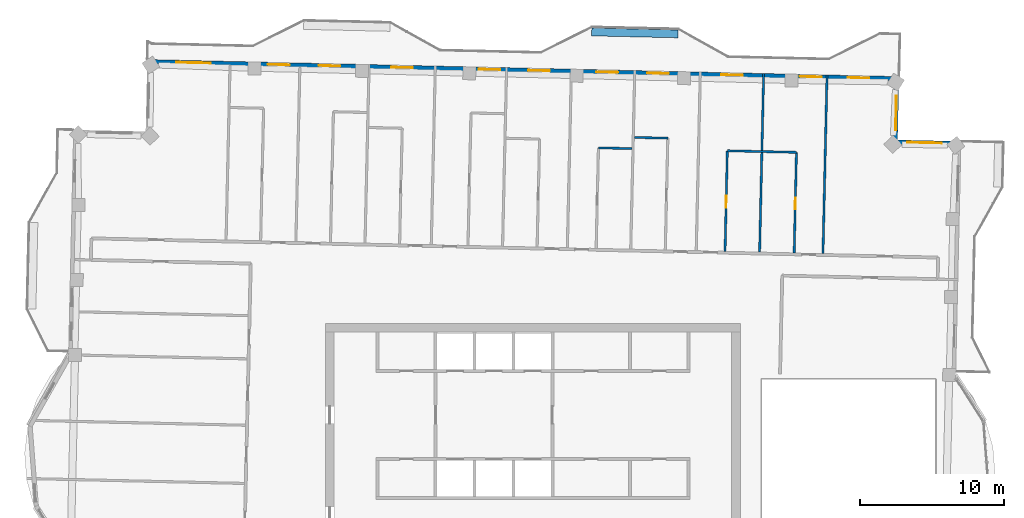
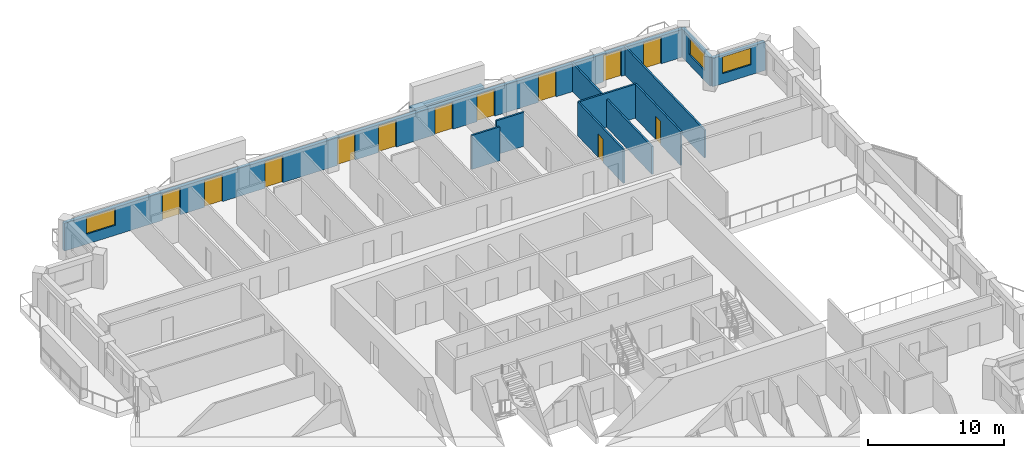
# One storey, part 10 of 15: 12 doors, 11 walls, 3 windows, 15 openings.
"""IFC4 building model written with IfcOpenShell, lengths in metres."""

from ifc_helpers import new_model, si_unit, direction, frame, frame_2d, origin, place, context, subcontext, project, spatial, rectangle, extrude, material, layer, layer_set, type_object, element, fill, save


model = new_model("IFC4")

# Units and contexts
model_context = context("Model", 3, precision=1e-05, world=origin(), true_north=direction((0.0, 1.0)))
body_context = subcontext(model_context, "Body", "Model", "MODEL_VIEW")
ifc_project = project(units=[si_unit("LENGTHUNIT", "METRE"), si_unit("AREAUNIT", "SQUARE_METRE"), si_unit("VOLUMEUNIT", "CUBIC_METRE"), si_unit("PLANEANGLEUNIT", "RADIAN"), si_unit("MASSUNIT", "GRAM", prefix="KILO")], contexts=[model_context])

# Site, building, storey
site_placement = place(None, origin())
site = spatial("IfcSite", under=ifc_project, at=site_placement, CompositionType="ELEMENT")
building_placement = place(site_placement, origin())
building = spatial("IfcBuilding", under=site, at=building_placement, Name="Mangrove Gate Tower", CompositionType="ELEMENT")
storey_placement = place(building_placement, frame((0.0, 0.0, 313.300048828125)))
storey = spatial("IfcBuildingStorey", under=building, at=storey_placement, Name="L80", CompositionType="ELEMENT", Elevation=313.300048828125)

# Wall, opening, window
ifc_material_1 = material(Name="Limestone", Category="masonry")
ifc_layer_1 = layer(ifc_material_1, 0.0400390625, Name="Limestone cladding")
ifc_material_2 = material(Name="Ventilated air gap")
ifc_layer_2 = layer(ifc_material_2, 0.0400390625, Name="Ventilated cavity")
ifc_material_3 = material(Name="Mineral wool insulation")
ifc_layer_3 = layer(ifc_material_3, 0.06005859375, Name="Insulation")
ifc_material_4 = material(Name="Breather membrane")
ifc_layer_4 = layer(ifc_material_4, 0.001953125, Name="Breather membrane")
ifc_material_5 = material(Name="Concrete C20/25 blockwork", Category="masonry")
ifc_layer_5 = layer(ifc_material_5, 0.14990234375, Name="Blockwork backing wall")
ifc_material_6 = material(Name="Gypsum plaster")
ifc_layer_6 = layer(ifc_material_6, 0.008056640625, Name="Internal plaster")
ifc_layer_set_1 = layer_set([ifc_layer_1, ifc_layer_2, ifc_layer_3, ifc_layer_4, ifc_layer_5, ifc_layer_6], Name="External wall 300 limestone cladding")
wall_type_1 = type_object("IfcWallType", Name="External wall 300 limestone cladding", PredefinedType="SOLIDWALL", material=ifc_layer_set_1)
wall_1_placement = place(storey_placement, frame((29.56298828125, 23.89892578125, 0.0), z_axis=(0.0, 0.0, 1.0), x_axis=(-0.999741204967, 0.022749133868, 0.0)))
wall_1 = element("IfcWall", 1, at=wall_1_placement, inside=storey, type_object=wall_type_1, Name="WALL-L80-N3", PredefinedType="SOLIDWALL", context=body_context, shape_type="SweptSolid", body=[
    extrude(rectangle(XDim=4.400146484375, YDim=0.300048828125, at=frame_2d((2.2001953125, 0.0))), origin(), (0.0, 0.0, 1.0), 2.550048828125),
])
opening_1_placement = place(wall_1_placement, frame((1.181884765625, 0.0, 0.89990234375)))
opening_1 = element("IfcOpeningElement", 2, at=opening_1_placement, cuts=wall_1, Name="Opening W2", PredefinedType="OPENING", context=body_context, shape_type="SweptSolid", body=[
    extrude(rectangle(XDim=2.39990234375, YDim=1.5, at=frame_2d((1.199951171875, 0.75))), frame((0.0, 0.159912109375, 0.0), z_axis=(0.0, -1.0, 0.0), x_axis=(1.0, 0.0, 0.0)), (0.0, 0.0, 1.0), 0.320068359375),
])
ifc_material_7 = material(Name="Aluminium frame with double-glazed low-e glass", Category="aluminium")
window_type = type_object("IfcWindowType", Name="Corner room window 2400x1500", PartitioningType="DOUBLE_PANEL_VERTICAL", PredefinedType="WINDOW", material=ifc_material_7)
window_1_placement = place(opening_1_placement, origin())
window_1 = element("IfcWindow", 3, at=window_1_placement, inside=storey, type_object=window_type, Name="WIN-L80-N3-1", OverallHeight=1.5, OverallWidth=2.39990234375, PartitioningType="DOUBLE_PANEL_VERTICAL", PredefinedType="WINDOW", context=body_context, shape_type="SweptSolid", body=[
    extrude(rectangle(XDim=2.39990234375, YDim=1.5, at=frame_2d((1.199951171875, 0.75))), frame((0.0, 0.030029296875, 0.0), z_axis=(0.0, -1.0, 0.0), x_axis=(1.0, 0.0, 0.0)), (0.0, 0.0, 1.0), 0.06005859375),
])
fill(opening_1, window_1)

wall_2_placement = place(storey_placement, frame((25.1640625, 23.9990234375, 0.0), z_axis=(0.0, 0.0, 1.0), x_axis=(0.02269871331, 0.999742351016, 0.0)))
wall_2 = element("IfcWall", 4, at=wall_2_placement, inside=storey, type_object=wall_type_1, Name="WALL-L80-E4", PredefinedType="SOLIDWALL", context=body_context, shape_type="SweptSolid", body=[
    extrude(rectangle(XDim=4.399169921875, YDim=0.300048828125, at=frame_2d((2.19970703125, 0.0))), origin(), (0.0, 0.0, 1.0), 2.550048828125),
])
opening_2_placement = place(wall_2_placement, frame((0.806884765625, 0.0, 0.89990234375)))
opening_2 = element("IfcOpeningElement", 5, at=opening_2_placement, cuts=wall_2, Name="Opening W2", PredefinedType="OPENING", context=body_context, shape_type="SweptSolid", body=[
    extrude(rectangle(XDim=2.39990234375, YDim=1.5, at=frame_2d((1.199951171875, 0.75))), frame((0.0, 0.159912109375, 0.0), z_axis=(0.0, -1.0, 0.0), x_axis=(1.0, 0.0, 0.0)), (0.0, 0.0, 1.0), 0.320068359375),
])
window_2_placement = place(opening_2_placement, origin())
window_2 = element("IfcWindow", 6, at=window_2_placement, inside=storey, type_object=window_type, Name="WIN-L80-E4-1", OverallHeight=1.5, OverallWidth=2.39990234375, PartitioningType="DOUBLE_PANEL_VERTICAL", PredefinedType="WINDOW", context=body_context, shape_type="SweptSolid", body=[
    extrude(rectangle(XDim=2.39990234375, YDim=1.5, at=frame_2d((1.199951171875, 0.75))), frame((0.0, 0.030029296875, 0.0), z_axis=(0.0, -1.0, 0.0), x_axis=(1.0, 0.0, 0.0)), (0.0, 0.0, 1.0), 0.06005859375),
])
fill(opening_2, window_2)

# Wall, openings, doors, window
wall_3_placement = place(storey_placement, frame((25.263916015625, 28.39697265625, 0.0), z_axis=(0.0, 0.0, 1.0), x_axis=(-0.999742391375, 0.022696935658, 0.0)))
wall_3 = element("IfcWall", 7, at=wall_3_placement, inside=storey, type_object=wall_type_1, Name="WALL-L80-N5", PredefinedType="SOLIDWALL", context=body_context, shape_type="SweptSolid", body=[
    extrude(rectangle(XDim=51.900390625, YDim=0.300048828125, at=frame_2d((25.9501953125, 0.0))), origin(), (0.0, 0.0, 1.0), 2.5),
])
opening_3_placement = place(wall_3_placement, frame((1.89794921875, 0.0, 0.0)))
opening_3 = element("IfcOpeningElement", 8, at=opening_3_placement, cuts=wall_3, Name="Opening BD1", PredefinedType="OPENING", context=body_context, shape_type="SweptSolid", body=[
    extrude(rectangle(XDim=1.5, YDim=2.39990234375, at=frame_2d((0.75, 1.199951171875))), frame((0.0, 0.159912109375, 0.0), z_axis=(0.0, -1.0, 0.0), x_axis=(1.0, 0.0, 0.0)), (0.0, 0.0, 1.0), 0.320068359375),
])
opening_4_placement = place(wall_3_placement, frame((5.22900390625, 0.0, 0.0)))
opening_4 = element("IfcOpeningElement", 9, at=opening_4_placement, cuts=wall_3, Name="Opening BD1", PredefinedType="OPENING", context=body_context, shape_type="SweptSolid", body=[
    extrude(rectangle(XDim=1.5, YDim=2.39990234375, at=frame_2d((0.75, 1.199951171875))), frame((0.0, 0.159912109375, 0.0), z_axis=(0.0, -1.0, 0.0), x_axis=(1.0, 0.0, 0.0)), (0.0, 0.0, 1.0), 0.320068359375),
])
opening_5_placement = place(wall_3_placement, frame((10.699951171875, 0.0, 0.0)))
opening_5 = element("IfcOpeningElement", 10, at=opening_5_placement, cuts=wall_3, Name="Opening BD1", PredefinedType="OPENING", context=body_context, shape_type="SweptSolid", body=[
    extrude(rectangle(XDim=1.5, YDim=2.39990234375, at=frame_2d((0.75, 1.199951171875))), frame((0.0, 0.159912109375, 0.0), z_axis=(0.0, -1.0, 0.0), x_axis=(1.0, 0.0, 0.0)), (0.0, 0.0, 1.0), 0.320068359375),
])
opening_6_placement = place(wall_3_placement, frame((15.83203125, 0.0, 0.0)))
opening_6 = element("IfcOpeningElement", 11, at=opening_6_placement, cuts=wall_3, Name="Opening BD1", PredefinedType="OPENING", context=body_context, shape_type="SweptSolid", body=[
    extrude(rectangle(XDim=1.5, YDim=2.39990234375, at=frame_2d((0.75, 1.199951171875))), frame((0.0, 0.159912109375, 0.0), z_axis=(0.0, -1.0, 0.0), x_axis=(1.0, 0.0, 0.0)), (0.0, 0.0, 1.0), 0.320068359375),
])
opening_7_placement = place(wall_3_placement, frame((19.361083984375, 0.0, 0.0)))
opening_7 = element("IfcOpeningElement", 12, at=opening_7_placement, cuts=wall_3, Name="Opening BD1", PredefinedType="OPENING", context=body_context, shape_type="SweptSolid", body=[
    extrude(rectangle(XDim=1.5, YDim=2.39990234375, at=frame_2d((0.75, 1.199951171875))), frame((0.0, 0.159912109375, 0.0), z_axis=(0.0, -1.0, 0.0), x_axis=(1.0, 0.0, 0.0)), (0.0, 0.0, 1.0), 0.320068359375),
])
opening_8_placement = place(wall_3_placement, frame((24.10009765625, 0.0, 0.0)))
opening_8 = element("IfcOpeningElement", 13, at=opening_8_placement, cuts=wall_3, Name="Opening BD1", PredefinedType="OPENING", context=body_context, shape_type="SweptSolid", body=[
    extrude(rectangle(XDim=1.5, YDim=2.39990234375, at=frame_2d((0.75, 1.199951171875))), frame((0.0, 0.159912109375, 0.0), z_axis=(0.0, -1.0, 0.0), x_axis=(1.0, 0.0, 0.0)), (0.0, 0.0, 1.0), 0.320068359375),
])
opening_9_placement = place(wall_3_placement, frame((27.5390625, 0.0, 0.0)))
opening_9 = element("IfcOpeningElement", 14, at=opening_9_placement, cuts=wall_3, Name="Opening BD1", PredefinedType="OPENING", context=body_context, shape_type="SweptSolid", body=[
    extrude(rectangle(XDim=1.5, YDim=2.39990234375, at=frame_2d((0.75, 1.199951171875))), frame((0.0, 0.159912109375, 0.0), z_axis=(0.0, -1.0, 0.0), x_axis=(1.0, 0.0, 0.0)), (0.0, 0.0, 1.0), 0.320068359375),
])
opening_10_placement = place(wall_3_placement, frame((33.60009765625, 0.0, 0.0)))
opening_10 = element("IfcOpeningElement", 15, at=opening_10_placement, cuts=wall_3, Name="Opening BD1", PredefinedType="OPENING", context=body_context, shape_type="SweptSolid", body=[
    extrude(rectangle(XDim=1.5, YDim=2.39990234375, at=frame_2d((0.75, 1.199951171875))), frame((0.0, 0.159912109375, 0.0), z_axis=(0.0, -1.0, 0.0), x_axis=(1.0, 0.0, 0.0)), (0.0, 0.0, 1.0), 0.320068359375),
])
opening_11_placement = place(wall_3_placement, frame((38.64306640625, 0.0, 0.0)))
opening_11 = element("IfcOpeningElement", 16, at=opening_11_placement, cuts=wall_3, Name="Opening BD1", PredefinedType="OPENING", context=body_context, shape_type="SweptSolid", body=[
    extrude(rectangle(XDim=1.5, YDim=2.39990234375, at=frame_2d((0.75, 1.199951171875))), frame((0.0, 0.159912109375, 0.0), z_axis=(0.0, -1.0, 0.0), x_axis=(1.0, 0.0, 0.0)), (0.0, 0.0, 1.0), 0.320068359375),
])
opening_12_placement = place(wall_3_placement, frame((42.1708984375, 0.0, 0.0)))
opening_12 = element("IfcOpeningElement", 17, at=opening_12_placement, cuts=wall_3, Name="Opening BD1", PredefinedType="OPENING", context=body_context, shape_type="SweptSolid", body=[
    extrude(rectangle(XDim=1.5, YDim=2.39990234375, at=frame_2d((0.75, 1.199951171875))), frame((0.0, 0.159912109375, 0.0), z_axis=(0.0, -1.0, 0.0), x_axis=(1.0, 0.0, 0.0)), (0.0, 0.0, 1.0), 0.320068359375),
])
opening_13_placement = place(wall_3_placement, frame((47.636962890625, 0.0, 0.89990234375)))
opening_13 = element("IfcOpeningElement", 18, at=opening_13_placement, cuts=wall_3, Name="Opening W2", PredefinedType="OPENING", context=body_context, shape_type="SweptSolid", body=[
    extrude(rectangle(XDim=2.39990234375, YDim=1.5, at=frame_2d((1.199951171875, 0.75))), frame((0.0, 0.159912109375, 0.0), z_axis=(0.0, -1.0, 0.0), x_axis=(1.0, 0.0, 0.0)), (0.0, 0.0, 1.0), 0.320068359375),
])
ifc_material_8 = material(Name="Aluminium frame with laminated clear glass", Category="aluminium")
door_type_1 = type_object("IfcDoorType", Name="Balcony sliding door 1500x2400", OperationType="SLIDING_TO_LEFT", PredefinedType="DOOR", material=ifc_material_8)
door_1_placement = place(opening_3_placement, origin())
door_1 = element("IfcDoor", 19, at=door_1_placement, inside=storey, type_object=door_type_1, Name="DOOR-L80-N5-1", OperationType="SLIDING_TO_LEFT", OverallHeight=2.39990234375, OverallWidth=1.5, PredefinedType="DOOR", context=body_context, shape_type="SweptSolid", body=[
    extrude(rectangle(XDim=1.5, YDim=2.39990234375, at=frame_2d((0.75, 1.199951171875))), frame((0.0, 0.02490234375, 0.0), z_axis=(0.0, -1.0, 0.0), x_axis=(1.0, 0.0, 0.0)), (0.0, 0.0, 1.0), 0.050048828125),
])
fill(opening_3, door_1)
door_2_placement = place(opening_4_placement, origin())
door_2 = element("IfcDoor", 20, at=door_2_placement, inside=storey, type_object=door_type_1, Name="DOOR-L80-N5-2", OperationType="SLIDING_TO_LEFT", OverallHeight=2.39990234375, OverallWidth=1.5, PredefinedType="DOOR", context=body_context, shape_type="SweptSolid", body=[
    extrude(rectangle(XDim=1.5, YDim=2.39990234375, at=frame_2d((0.75, 1.199951171875))), frame((0.0, 0.02490234375, 0.0), z_axis=(0.0, -1.0, 0.0), x_axis=(1.0, 0.0, 0.0)), (0.0, 0.0, 1.0), 0.050048828125),
])
fill(opening_4, door_2)
door_3_placement = place(opening_5_placement, origin())
door_3 = element("IfcDoor", 21, at=door_3_placement, inside=storey, type_object=door_type_1, Name="DOOR-L80-N5-3", OperationType="SLIDING_TO_LEFT", OverallHeight=2.39990234375, OverallWidth=1.5, PredefinedType="DOOR", context=body_context, shape_type="SweptSolid", body=[
    extrude(rectangle(XDim=1.5, YDim=2.39990234375, at=frame_2d((0.75, 1.199951171875))), frame((0.0, 0.02490234375, 0.0), z_axis=(0.0, -1.0, 0.0), x_axis=(1.0, 0.0, 0.0)), (0.0, 0.0, 1.0), 0.050048828125),
])
fill(opening_5, door_3)
door_4_placement = place(opening_6_placement, origin())
door_4 = element("IfcDoor", 22, at=door_4_placement, inside=storey, type_object=door_type_1, Name="DOOR-L80-N5-4", OperationType="SLIDING_TO_LEFT", OverallHeight=2.39990234375, OverallWidth=1.5, PredefinedType="DOOR", context=body_context, shape_type="SweptSolid", body=[
    extrude(rectangle(XDim=1.5, YDim=2.39990234375, at=frame_2d((0.75, 1.199951171875))), frame((0.0, 0.02490234375, 0.0), z_axis=(0.0, -1.0, 0.0), x_axis=(1.0, 0.0, 0.0)), (0.0, 0.0, 1.0), 0.050048828125),
])
fill(opening_6, door_4)
door_5_placement = place(opening_7_placement, origin())
door_5 = element("IfcDoor", 23, at=door_5_placement, inside=storey, type_object=door_type_1, Name="DOOR-L80-N5-5", OperationType="SLIDING_TO_LEFT", OverallHeight=2.39990234375, OverallWidth=1.5, PredefinedType="DOOR", context=body_context, shape_type="SweptSolid", body=[
    extrude(rectangle(XDim=1.5, YDim=2.39990234375, at=frame_2d((0.75, 1.199951171875))), frame((0.0, 0.02490234375, 0.0), z_axis=(0.0, -1.0, 0.0), x_axis=(1.0, 0.0, 0.0)), (0.0, 0.0, 1.0), 0.050048828125),
])
fill(opening_7, door_5)
door_6_placement = place(opening_8_placement, origin())
door_6 = element("IfcDoor", 24, at=door_6_placement, inside=storey, type_object=door_type_1, Name="DOOR-L80-N5-6", OperationType="SLIDING_TO_LEFT", OverallHeight=2.39990234375, OverallWidth=1.5, PredefinedType="DOOR", context=body_context, shape_type="SweptSolid", body=[
    extrude(rectangle(XDim=1.5, YDim=2.39990234375, at=frame_2d((0.75, 1.199951171875))), frame((0.0, 0.02490234375, 0.0), z_axis=(0.0, -1.0, 0.0), x_axis=(1.0, 0.0, 0.0)), (0.0, 0.0, 1.0), 0.050048828125),
])
fill(opening_8, door_6)
door_7_placement = place(opening_9_placement, origin())
door_7 = element("IfcDoor", 25, at=door_7_placement, inside=storey, type_object=door_type_1, Name="DOOR-L80-N5-7", OperationType="SLIDING_TO_LEFT", OverallHeight=2.39990234375, OverallWidth=1.5, PredefinedType="DOOR", context=body_context, shape_type="SweptSolid", body=[
    extrude(rectangle(XDim=1.5, YDim=2.39990234375, at=frame_2d((0.75, 1.199951171875))), frame((0.0, 0.02490234375, 0.0), z_axis=(0.0, -1.0, 0.0), x_axis=(1.0, 0.0, 0.0)), (0.0, 0.0, 1.0), 0.050048828125),
])
fill(opening_9, door_7)
door_8_placement = place(opening_10_placement, origin())
door_8 = element("IfcDoor", 26, at=door_8_placement, inside=storey, type_object=door_type_1, Name="DOOR-L80-N5-8", OperationType="SLIDING_TO_LEFT", OverallHeight=2.39990234375, OverallWidth=1.5, PredefinedType="DOOR", context=body_context, shape_type="SweptSolid", body=[
    extrude(rectangle(XDim=1.5, YDim=2.39990234375, at=frame_2d((0.75, 1.199951171875))), frame((0.0, 0.02490234375, 0.0), z_axis=(0.0, -1.0, 0.0), x_axis=(1.0, 0.0, 0.0)), (0.0, 0.0, 1.0), 0.050048828125),
])
fill(opening_10, door_8)
door_9_placement = place(opening_11_placement, origin())
door_9 = element("IfcDoor", 27, at=door_9_placement, inside=storey, type_object=door_type_1, Name="DOOR-L80-N5-9", OperationType="SLIDING_TO_LEFT", OverallHeight=2.39990234375, OverallWidth=1.5, PredefinedType="DOOR", context=body_context, shape_type="SweptSolid", body=[
    extrude(rectangle(XDim=1.5, YDim=2.39990234375, at=frame_2d((0.75, 1.199951171875))), frame((0.0, 0.02490234375, 0.0), z_axis=(0.0, -1.0, 0.0), x_axis=(1.0, 0.0, 0.0)), (0.0, 0.0, 1.0), 0.050048828125),
])
fill(opening_11, door_9)
door_10_placement = place(opening_12_placement, origin())
door_10 = element("IfcDoor", 28, at=door_10_placement, inside=storey, type_object=door_type_1, Name="DOOR-L80-N5-10", OperationType="SLIDING_TO_LEFT", OverallHeight=2.39990234375, OverallWidth=1.5, PredefinedType="DOOR", context=body_context, shape_type="SweptSolid", body=[
    extrude(rectangle(XDim=1.5, YDim=2.39990234375, at=frame_2d((0.75, 1.199951171875))), frame((0.0, 0.02490234375, 0.0), z_axis=(0.0, -1.0, 0.0), x_axis=(1.0, 0.0, 0.0)), (0.0, 0.0, 1.0), 0.050048828125),
])
fill(opening_12, door_10)
window_3_placement = place(opening_13_placement, origin())
window_3 = element("IfcWindow", 29, at=window_3_placement, inside=storey, type_object=window_type, Name="WIN-L80-N5-11", OverallHeight=1.5, OverallWidth=2.39990234375, PartitioningType="DOUBLE_PANEL_VERTICAL", PredefinedType="WINDOW", context=body_context, shape_type="SweptSolid", body=[
    extrude(rectangle(XDim=2.39990234375, YDim=1.5, at=frame_2d((1.199951171875, 0.75))), frame((0.0, 0.030029296875, 0.0), z_axis=(0.0, -1.0, 0.0), x_axis=(1.0, 0.0, 0.0)), (0.0, 0.0, 1.0), 0.06005859375),
])
fill(opening_13, window_3)

# Wall, opening, door
ifc_material_9 = material(Name="Gypsum board on steel stud, EI 60", Category="steel")
ifc_layer_7 = layer(ifc_material_9, 0.14990234375)
ifc_layer_set_2 = layer_set([ifc_layer_7], Name="Party wall 150 EI 60")
wall_type_2 = type_object("IfcWallType", Name="Party wall 150 EI 60", PredefinedType="PARTITIONING", material=ifc_layer_set_2)
wall_4_placement = place(storey_placement, frame((13.339111328125, 16.4150390625, 0.0), z_axis=(0.0, 0.0, 1.0), x_axis=(0.022630826984, 0.999743890039, 0.0)))
wall_4 = element("IfcWall", 30, at=wall_4_placement, inside=storey, type_object=wall_type_2, Name="WALL-L80-074", PredefinedType="PARTITIONING", context=body_context, shape_type="SweptSolid", body=[
    extrude(rectangle(XDim=6.979736328125, YDim=0.14990234375, at=frame_2d((3.48974609375, 0.0))), origin(), (0.0, 0.0, 1.0), 3.050048828125),
])
opening_14_placement = place(wall_4_placement, frame((3.0400390625, 0.0, 0.0)))
opening_14 = element("IfcOpeningElement", 31, at=opening_14_placement, cuts=wall_4, Name="Opening ED", PredefinedType="OPENING", context=body_context, shape_type="SweptSolid", body=[
    extrude(rectangle(XDim=0.800048828125, YDim=2.10009765625, at=frame_2d((0.39990234375, 1.050048828125))), frame((0.0, 0.0849609375, 0.0), z_axis=(0.0, -1.0, 0.0), x_axis=(1.0, 0.0, 0.0)), (0.0, 0.0, 1.0), 0.169921875),
])
ifc_material_10 = material(Name="Timber door leaf", Category="wood")
door_type_2 = type_object("IfcDoorType", Name="En-suite door 800", OperationType="SINGLE_SWING_LEFT", PredefinedType="DOOR", material=ifc_material_10)
door_11_placement = place(opening_14_placement, origin())
door_11 = element("IfcDoor", 32, at=door_11_placement, inside=storey, type_object=door_type_2, Name="DOOR-L80-ENS-c312", OperationType="SINGLE_SWING_RIGHT", OverallHeight=2.10009765625, OverallWidth=0.800048828125, PredefinedType="DOOR", context=body_context, shape_type="SweptSolid", body=[
    extrude(rectangle(XDim=0.800048828125, YDim=2.10009765625, at=frame_2d((0.39990234375, 1.050048828125))), frame((0.0, 0.02490234375, 0.0), z_axis=(0.0, -1.0, 0.0), x_axis=(1.0, 0.0, 0.0)), (0.0, 0.0, 1.0), 0.050048828125),
])
fill(opening_14, door_11)

# Wall
wall_5_placement = place(storey_placement, frame((15.738037109375, 16.360107421875, 0.0), z_axis=(0.0, 0.0, 1.0), x_axis=(0.022740189192, 0.999741408463, 0.0)))
element("IfcWall", 33, at=wall_5_placement, inside=storey, type_object=wall_type_2, Name="WALL-L80-075", PredefinedType="PARTITIONING", context=body_context, shape_type="SweptSolid", body=[
    extrude(rectangle(XDim=12.400146484375, YDim=0.14990234375, at=frame_2d((6.2001953125, 0.0))), origin(), (0.0, 0.0, 1.0), 2.5),
])

# Wall, opening, door
wall_6_placement = place(storey_placement, frame((18.137939453125, 16.305908203125, 0.0), z_axis=(0.0, 0.0, 1.0), x_axis=(0.022630826984, 0.999743890039, 0.0)))
wall_6 = element("IfcWall", 34, at=wall_6_placement, inside=storey, type_object=wall_type_2, Name="WALL-L80-076", PredefinedType="PARTITIONING", context=body_context, shape_type="SweptSolid", body=[
    extrude(rectangle(XDim=6.979736328125, YDim=0.14990234375, at=frame_2d((3.48974609375, 0.0))), origin(), (0.0, 0.0, 1.0), 3.050048828125),
])
opening_15_placement = place(wall_6_placement, frame((3.0400390625, 0.0, 0.0)))
opening_15 = element("IfcOpeningElement", 35, at=opening_15_placement, cuts=wall_6, Name="Opening ED", PredefinedType="OPENING", context=body_context, shape_type="SweptSolid", body=[
    extrude(rectangle(XDim=0.800048828125, YDim=2.10009765625, at=frame_2d((0.39990234375, 1.050048828125))), frame((0.0, 0.0849609375, 0.0), z_axis=(0.0, -1.0, 0.0), x_axis=(1.0, 0.0, 0.0)), (0.0, 0.0, 1.0), 0.169921875),
])
door_12_placement = place(opening_15_placement, origin())
door_12 = element("IfcDoor", 36, at=door_12_placement, inside=storey, type_object=door_type_2, Name="DOOR-L80-ENS-c311", OperationType="SINGLE_SWING_LEFT", OverallHeight=2.10009765625, OverallWidth=0.800048828125, PredefinedType="DOOR", context=body_context, shape_type="SweptSolid", body=[
    extrude(rectangle(XDim=0.800048828125, YDim=2.10009765625, at=frame_2d((0.39990234375, 1.050048828125))), frame((0.0, 0.02490234375, 0.0), z_axis=(0.0, -1.0, 0.0), x_axis=(1.0, 0.0, 0.0)), (0.0, 0.0, 1.0), 0.050048828125),
])
fill(opening_15, door_12)

# Walls
wall_7_placement = place(storey_placement, frame((20.136962890625, 16.260986328125, 0.0), z_axis=(0.0, 0.0, 1.0), x_axis=(0.022663260168, 0.999743155335, 0.0)))
element("IfcWall", 37, at=wall_7_placement, inside=storey, type_object=wall_type_2, Name="WALL-L80-077", PredefinedType="PARTITIONING", context=body_context, shape_type="SweptSolid", body=[
    extrude(rectangle(XDim=12.399169921875, YDim=0.14990234375, at=frame_2d((6.19970703125, 0.0))), origin(), (0.0, 0.0, 1.0), 2.5),
])
wall_8_placement = place(storey_placement, frame((4.549072265625, 23.595947265625, 0.0), z_axis=(0.0, 0.0, 1.0), x_axis=(0.999740478815, -0.022781023197, 0.0)))
element("IfcWall", 38, at=wall_8_placement, inside=storey, type_object=wall_type_2, Name="WALL-L80-078", PredefinedType="PARTITIONING", context=body_context, shape_type="SweptSolid", body=[
    extrude(rectangle(XDim=2.325439453125, YDim=0.14990234375, at=frame_2d((1.16259765625, 0.0))), origin(), (0.0, 0.0, 1.0), 3.050048828125),
])
wall_9_placement = place(storey_placement, frame((13.4970703125, 23.39306640625, 0.0), z_axis=(0.0, 0.0, 1.0), x_axis=(0.999741520352, -0.022735269617, 0.0)))
element("IfcWall", 39, at=wall_9_placement, inside=storey, type_object=wall_type_2, Name="WALL-L80-079", PredefinedType="PARTITIONING", context=body_context, shape_type="SweptSolid", body=[
    extrude(rectangle(XDim=4.800048828125, YDim=0.14990234375, at=frame_2d((2.39990234375, 0.0))), origin(), (0.0, 0.0, 1.0), 3.050048828125),
])
wall_10_placement = place(storey_placement, frame((7.0419921875, 24.320068359375, 0.0), z_axis=(0.0, 0.0, 1.0), x_axis=(0.999740260747, -0.02279059109, 0.0)))
element("IfcWall", 40, at=wall_10_placement, inside=storey, type_object=wall_type_2, Name="WALL-L80-081", PredefinedType="PARTITIONING", context=body_context, shape_type="SweptSolid", body=[
    extrude(rectangle(XDim=2.324462890625, YDim=0.14990234375, at=frame_2d((1.162109375, 0.0))), origin(), (0.0, 0.0, 1.0), 3.050048828125),
])
ifc_material_11 = material(Name="Concrete C32/40", Category="concrete")
ifc_layer_8 = layer(ifc_material_11, 0.199951171875, Name="Planter trough wall")
ifc_material_12 = material(Name="Bituminous waterproofing membrane")
ifc_layer_9 = layer(ifc_material_12, 0.0048828125, Name="Waterproofing")
ifc_material_13 = material(Name="Drainage board and gravel")
ifc_layer_10 = layer(ifc_material_13, 0.044921875, Name="Drainage layer")
ifc_material_14 = material(Name="Planting soil")
ifc_layer_11 = layer(ifc_material_14, 0.300048828125, Name="Growing medium")
ifc_layer_set_3 = layer_set([ifc_layer_8, ifc_layer_9, ifc_layer_10, ifc_layer_11], Name="Planter wall 550 C32/40")
wall_type_3 = type_object("IfcWallType", Name="Planter wall 550 C32/40", PredefinedType="USERDEFINED", material=ifc_layer_set_3)
wall_11_placement = place(storey_placement, frame((4.08203125, 31.64404296875, 0.0), z_axis=(0.0, 0.0, 1.0), x_axis=(0.999743178102, -0.022662255828, 0.0)))
element("IfcWall", 41, at=wall_11_placement, inside=storey, type_object=wall_type_3, Name="PLANTER L80 N0.1", ObjectType="PLANTER", PredefinedType="USERDEFINED", context=body_context, shape_type="SweptSolid", body=[
    extrude(rectangle(XDim=6.00048828125, YDim=0.550048828125, at=frame_2d((3.000244140625, 0.0))), origin(), (0.0, 0.0, 1.0), 0.800048828125),
])

save(model, "model.ifc")
